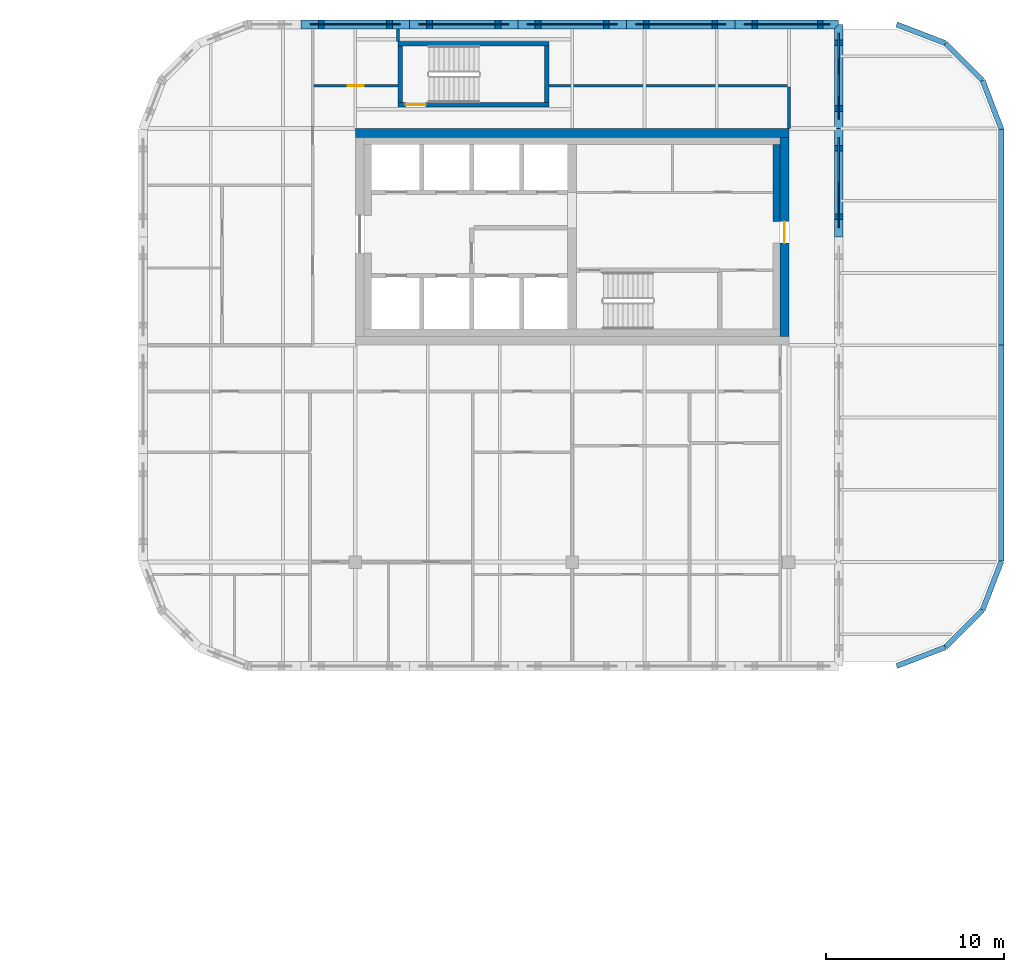
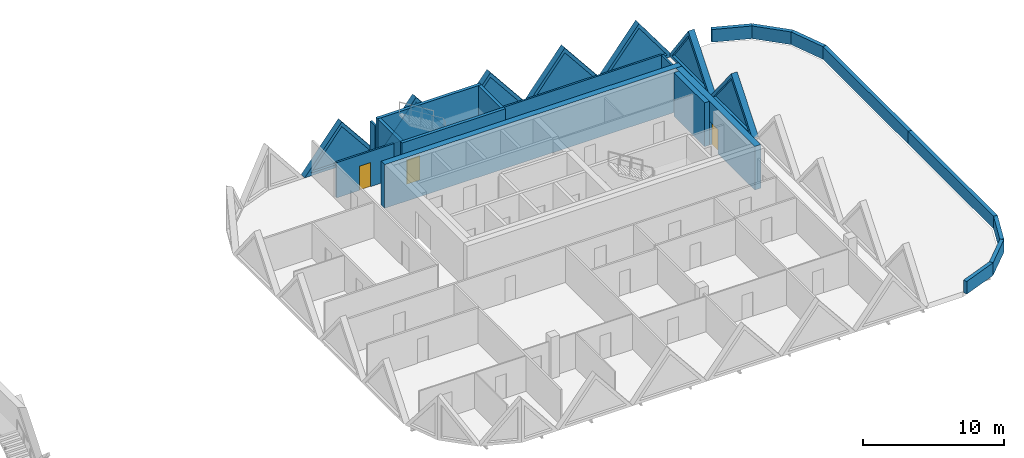
# One storey, part 15 of 18: 26 walls, 7 plates, 3 doors, 10 openings.
"""IFC4 building model written with IfcOpenShell, lengths in metres."""

from ifc_helpers import new_model, si_unit, direction, frame, frame_2d, origin, place, context, subcontext, project, spatial, polyline, rectangle, outline, extrude, faceted_brep, source, transform, mapped, material, layer, layer_set, type_object, element, fill, save


model = new_model("IFC4")

# Units and contexts
model_context = context("Model", 3, precision=1e-05, world=origin(), true_north=direction((0.0, 1.0)))
body_context = subcontext(model_context, "Body", "Model", "MODEL_VIEW")
ifc_project = project(units=[si_unit("LENGTHUNIT", "METRE"), si_unit("AREAUNIT", "SQUARE_METRE"), si_unit("VOLUMEUNIT", "CUBIC_METRE"), si_unit("PLANEANGLEUNIT", "RADIAN"), si_unit("MASSUNIT", "GRAM", prefix="KILO")], contexts=[model_context])

# Site, building, storey
site_placement = place(None, origin())
site = spatial("IfcSite", under=ifc_project, at=site_placement, CompositionType="ELEMENT")
building_placement = place(site_placement, origin())
building = spatial("IfcBuilding", under=site, at=building_placement, Name="Tessera Gate Towers", CompositionType="ELEMENT")
storey_placement = place(building_placement, frame((0.0, 0.0, 95.199951171875)))
storey = spatial("IfcBuildingStorey", under=building, at=storey_placement, Name="L23", CompositionType="ELEMENT", Elevation=95.199951171875)

# Wall, opening, door
ifc_material_1 = material(Name="Concrete C40/50", Category="concrete")
ifc_layer_1 = layer(ifc_material_1, 0.25)
ifc_layer_set_1 = layer_set([ifc_layer_1], Name="CORE ENCLOSURE WALL 250")
wall_type_1 = type_object("IfcWallType", Name="CORE ENCLOSURE WALL 250", PredefinedType="SOLIDWALL", material=ifc_layer_set_1)
wall_1_placement = place(storey_placement, frame((108.5, 50.125, 0.0), z_axis=(0.0, 0.0, 1.0), x_axis=(-1.0, 0.0, 0.0)))
wall_1 = element("IfcWall", 1, at=wall_1_placement, inside=storey, type_object=wall_type_1, Name="L23 ST7 enclosure wall", PredefinedType="SOLIDWALL", context=body_context, shape_type="SweptSolid", body=[
    extrude(rectangle(XDim=8.5, YDim=0.25, at=frame_2d((4.25, 0.0))), origin(), (0.0, 0.0, 1.0), 3.800048828125),
])
shared_shape_1 = source(origin(), body_context, "Body", "SweptSolid", [
    extrude(rectangle(XDim=1.10009765625, YDim=2.10009765625, at=frame_2d((0.550048828125, 1.050048828125))), frame((0.0, 0.135009765625, 0.0), z_axis=(0.0, -1.0, 0.0), x_axis=(1.0, 0.0, 0.0)), (0.0, 0.0, 1.0), 0.27001953125),
])
opening_1_placement = place(wall_1_placement, frame((6.949951171875, 0.0, 0.0)))
opening_1 = element("IfcOpeningElement", 2, at=opening_1_placement, cuts=wall_1, Name="Opening SD-ST7-1", PredefinedType="OPENING", context=body_context, shape_type="MappedRepresentation", body=[
    mapped(shared_shape_1, transform((0.0, 0.0, 0.0), scale=1.0)),
])
ifc_material_2 = material(Name="Hollow steel fire door", Category="steel")
door_type_1 = type_object("IfcDoorType", Name="CORE DOOR SD1100 1100x2100", OperationType="NOTDEFINED", PredefinedType="DOOR", material=ifc_material_2)
shared_shape_2 = source(origin(), body_context, "Body", "SweptSolid", [
    extrude(rectangle(XDim=1.10009765625, YDim=2.10009765625, at=frame_2d((0.550048828125, 1.050048828125))), frame((0.0, 0.02490234375, 0.0), z_axis=(0.0, -1.0, 0.0), x_axis=(1.0, 0.0, 0.0)), (0.0, 0.0, 1.0), 0.050048828125),
])
door_1_placement = place(opening_1_placement, origin())
door_1 = element("IfcDoor", 3, at=door_1_placement, inside=storey, type_object=door_type_1, Name="Stair door", OperationType="SINGLE_SWING_RIGHT", OverallHeight=2.10009765625, OverallWidth=1.10009765625, PredefinedType="DOOR", context=body_context, shape_type="MappedRepresentation", body=[
    mapped(shared_shape_2, transform((0.0, 0.0, 0.0), scale=1.0)),
])
fill(opening_1, door_1)

# Walls
wall_2_placement = place(storey_placement, frame((100.125, 50.25, 0.0), z_axis=(0.0, 0.0, 1.0), x_axis=(0.0, 1.0, 0.0)))
element("IfcWall", 4, at=wall_2_placement, inside=storey, type_object=wall_type_1, Name="L23 ST7 enclosure wall", PredefinedType="SOLIDWALL", context=body_context, shape_type="SweptSolid", body=[
    extrude(rectangle(XDim=3.199951171875, YDim=0.25, at=frame_2d((1.60009765625, 0.0))), origin(), (0.0, 0.0, 1.0), 3.800048828125),
])
wall_3_placement = place(storey_placement, frame((100.0, 53.574951171875, 0.0), z_axis=(0.0, 0.0, 1.0), x_axis=(1.0, 0.0, 0.0)))
element("IfcWall", 5, at=wall_3_placement, inside=storey, type_object=wall_type_1, Name="L23 ST7 enclosure wall", PredefinedType="SOLIDWALL", context=body_context, shape_type="SweptSolid", body=[
    extrude(rectangle(XDim=8.5, YDim=0.25, at=frame_2d((4.25, 0.0))), origin(), (0.0, 0.0, 1.0), 3.800048828125),
])
wall_4_placement = place(storey_placement, frame((108.375, 53.449951171875, 0.0), z_axis=(0.0, 0.0, 1.0), x_axis=(0.0, -1.0, 0.0)))
element("IfcWall", 6, at=wall_4_placement, inside=storey, type_object=wall_type_1, Name="L23 ST7 enclosure wall", PredefinedType="SOLIDWALL", context=body_context, shape_type="SweptSolid", body=[
    extrude(rectangle(XDim=3.199951171875, YDim=0.25, at=frame_2d((1.60009765625, 0.0))), origin(), (0.0, 0.0, 1.0), 3.800048828125),
])
ifc_material_3 = material(Name="Concrete C50/60", Category="concrete")
ifc_layer_2 = layer(ifc_material_3, 0.5)
ifc_layer_set_2 = layer_set([ifc_layer_2], Name="CORE SHEAR WALL 500 C50/60")
wall_type_2 = type_object("IfcWallType", Name="CORE SHEAR WALL 500 C50/60", PredefinedType="SHEAR", material=ifc_layer_set_2)
wall_5_placement = place(storey_placement, frame((97.60009765625, 48.550048828125, 0.0), z_axis=(0.0, 0.0, 1.0), x_axis=(1.0, 0.0, 0.0)))
element("IfcWall", 7, at=wall_5_placement, inside=storey, type_object=wall_type_2, Name="Core wall N L23", PredefinedType="SHEAR", context=body_context, shape_type="SweptSolid", body=[
    extrude(rectangle(XDim=24.39990234375, YDim=0.5, at=frame_2d((12.199951171875, 0.0))), origin(), (0.0, 0.0, 1.0), 3.800048828125),
])

# Wall, opening, door
wall_6_placement = place(storey_placement, frame((121.75, 48.300048828125, 0.0), z_axis=(0.0, 0.0, 1.0), x_axis=(0.0, -1.0, 0.0)))
wall_6 = element("IfcWall", 8, at=wall_6_placement, inside=storey, type_object=wall_type_2, Name="Core wall E L23", PredefinedType="SHEAR", context=body_context, shape_type="SweptSolid", body=[
    extrude(rectangle(XDim=11.199951171875, YDim=0.5, at=frame_2d((5.60009765625, 0.0))), origin(), (0.0, 0.0, 1.0), 3.800048828125),
])
shared_shape_3 = source(origin(), body_context, "Body", "SweptSolid", [
    extrude(rectangle(XDim=1.199951171875, YDim=2.10009765625, at=frame_2d((0.60009765625, 1.050048828125))), frame((0.0, 0.260009765625, 0.0), z_axis=(0.0, -1.0, 0.0), x_axis=(1.0, 0.0, 0.0)), (0.0, 0.0, 1.0), 0.52001953125),
])
opening_2_placement = place(wall_6_placement, frame((4.75, 0.0, 0.0)))
opening_2 = element("IfcOpeningElement", 9, at=opening_2_placement, cuts=wall_6, Name="Opening ED-T2-09-02", PredefinedType="OPENING", context=body_context, shape_type="MappedRepresentation", body=[
    mapped(shared_shape_3, transform((0.0, 0.0, 0.0), scale=1.0)),
])
ifc_material_4 = material(Name="Hollow steel fire door", Category="steel")
door_type_2 = type_object("IfcDoorType", Name="CORE DOOR ED 1200x2100", OperationType="NOTDEFINED", PredefinedType="DOOR", material=ifc_material_4)
shared_shape_4 = source(origin(), body_context, "Body", "SweptSolid", [
    extrude(rectangle(XDim=1.199951171875, YDim=2.10009765625, at=frame_2d((0.60009765625, 1.050048828125))), frame((0.0, 0.02490234375, 0.0), z_axis=(0.0, -1.0, 0.0), x_axis=(1.0, 0.0, 0.0)), (0.0, 0.0, 1.0), 0.050048828125),
])
door_2_placement = place(opening_2_placement, origin())
door_2 = element("IfcDoor", 10, at=door_2_placement, inside=storey, type_object=door_type_2, Name="Core exit door", OperationType="SINGLE_SWING_LEFT", OverallHeight=2.10009765625, OverallWidth=1.199951171875, PredefinedType="DOOR", context=body_context, shape_type="MappedRepresentation", body=[
    mapped(shared_shape_4, transform((0.0, 0.0, 0.0), scale=1.0)),
])
fill(opening_2, door_2)

# Walls
ifc_material_5 = material(Name="Concrete C50/60", Category="concrete")
ifc_layer_3 = layer(ifc_material_5, 0.39990234375)
ifc_layer_set_3 = layer_set([ifc_layer_3], Name="CORE WALL THICKENING 400")
wall_type_3 = type_object("IfcWallType", Name="CORE WALL THICKENING 400", PredefinedType="SOLIDWALL", material=ifc_layer_set_3)
wall_7_placement = place(storey_placement, frame((121.300048828125, 43.550048828125, 0.0), z_axis=(0.0, 0.0, 1.0), x_axis=(0.0, 1.0, 0.0)))
element("IfcWall", 11, at=wall_7_placement, inside=storey, type_object=wall_type_3, Name="Core wall thickening E L23", PredefinedType="SOLIDWALL", context=body_context, shape_type="SweptSolid", body=[
    extrude(rectangle(XDim=4.349853515625, YDim=0.39990234375, at=frame_2d((2.1748046875, 0.0))), origin(), (0.0, 0.0, 1.0), 3.800048828125),
])
ifc_material_6 = material(Name="Gypsum board on steel studs, mineral wool", Category="steel")
ifc_layer_4 = layer(ifc_material_6, 0.14990234375)
ifc_layer_set_4 = layer_set([ifc_layer_4], Name="CORRIDOR WALL 150")
wall_type_4 = type_object("IfcWallType", Name="CORRIDOR WALL 150", PredefinedType="PARTITIONING", material=ifc_layer_set_4)
wall_8_placement = place(storey_placement, frame((122.0, 48.800048828125, 0.0), z_axis=(0.0, 0.0, 1.0), x_axis=(0.0, 1.0, 0.0)))
element("IfcWall", 12, at=wall_8_placement, inside=storey, type_object=wall_type_4, Name="T2-L23-PW-031", PredefinedType="PARTITIONING", context=body_context, shape_type="SweptSolid", body=[
    extrude(rectangle(XDim=2.323974609375, YDim=0.14990234375, at=frame_2d((1.162109375, 0.0))), origin(), (0.0, 0.0, 1.0), 3.067138671875),
])

# Wall, opening, door
wall_9_placement = place(storey_placement, frame((95.27587890625, 51.199951171875, 0.0), z_axis=(0.0, 0.0, 1.0), x_axis=(1.0, 0.0, 0.0)))
wall_9 = element("IfcWall", 13, at=wall_9_placement, inside=storey, type_object=wall_type_4, Name="T2-L23-PW-033", PredefinedType="PARTITIONING", context=body_context, shape_type="SweptSolid", body=[
    extrude(rectangle(XDim=4.72412109375, YDim=0.14990234375, at=frame_2d((2.362060546875, 0.0))), origin(), (0.0, 0.0, 1.0), 3.067138671875),
])
shared_shape_5 = source(origin(), body_context, "Body", "SweptSolid", [
    extrude(rectangle(XDim=0.89990234375, YDim=2.10009765625, at=frame_2d((0.449951171875, 1.050048828125))), frame((0.0, 0.0849609375, 0.0), z_axis=(0.0, -1.0, 0.0), x_axis=(1.0, 0.0, 0.0)), (0.0, 0.0, 1.0), 0.169921875),
])
opening_3_placement = place(wall_9_placement, frame((1.89990234375, 0.0, 0.0)))
opening_3 = element("IfcOpeningElement", 14, at=opening_3_placement, cuts=wall_9, Name="Opening D890FD60-B10-01", PredefinedType="OPENING", context=body_context, shape_type="MappedRepresentation", body=[
    mapped(shared_shape_5, transform((0.0, 0.0, 0.0), scale=1.0)),
])
ifc_material_7 = material(Name="Timber door leaf in steel frame", Category="steel")
door_type_3 = type_object("IfcDoorType", Name="CORRIDOR DOOR 900 FD60", OperationType="NOTDEFINED", PredefinedType="DOOR", material=ifc_material_7)
shared_shape_6 = source(origin(), body_context, "Body", "SweptSolid", [
    extrude(rectangle(XDim=0.89990234375, YDim=2.10009765625, at=frame_2d((0.449951171875, 1.050048828125))), frame((0.0, 0.02490234375, 0.0), z_axis=(0.0, -1.0, 0.0), x_axis=(1.0, 0.0, 0.0)), (0.0, 0.0, 1.0), 0.050048828125),
])
door_3_placement = place(opening_3_placement, origin())
door_3 = element("IfcDoor", 15, at=door_3_placement, inside=storey, type_object=door_type_3, Name="T2-L23-PD-007", OperationType="SINGLE_SWING_LEFT", OverallHeight=2.10009765625, OverallWidth=0.89990234375, PredefinedType="DOOR", context=body_context, shape_type="MappedRepresentation", body=[
    mapped(shared_shape_6, transform((0.0, 0.0, 0.0), scale=1.0)),
])
fill(opening_3, door_3)

# Walls
wall_10_placement = place(storey_placement, frame((108.5, 51.199951171875, 0.0), z_axis=(0.0, 0.0, 1.0), x_axis=(1.0, 0.0, 0.0)))
element("IfcWall", 16, at=wall_10_placement, inside=storey, type_object=wall_type_4, Name="T2-L23-PW-034", PredefinedType="PARTITIONING", context=body_context, shape_type="SweptSolid", body=[
    extrude(rectangle(XDim=13.5, YDim=0.14990234375, at=frame_2d((6.75, 0.0))), origin(), (0.0, 0.0, 1.0), 3.067138671875),
])
ifc_material_8 = material(Name="Gypsum board on steel studs, mineral wool", Category="steel")
ifc_layer_5 = layer(ifc_material_8, 0.14990234375)
ifc_layer_set_5 = layer_set([ifc_layer_5], Name="TENANCY WALL 150")
wall_type_5 = type_object("IfcWallType", Name="TENANCY WALL 150", PredefinedType="PARTITIONING", material=ifc_layer_set_5)
wall_11_placement = place(storey_placement, frame((100.0, 53.699951171875, 0.0), z_axis=(0.0, 0.0, 1.0), x_axis=(0.0, 1.0, 0.0)))
element("IfcWall", 17, at=wall_11_placement, inside=storey, type_object=wall_type_5, Name="T2-L23-PW-035", PredefinedType="PARTITIONING", context=body_context, shape_type="SweptSolid", body=[
    extrude(rectangle(XDim=0.699951171875, YDim=0.14990234375, at=frame_2d((0.35009765625, 0.0))), origin(), (0.0, 0.0, 1.0), 3.067138671875),
])

# Wall, opening, plate
ifc_material_9 = material(Name="Precast concrete C60/75 white", Category="concrete")
ifc_layer_6 = layer(ifc_material_9, 0.5)
ifc_layer_set_6 = layer_set([ifc_layer_6], Name="TS2 half tessera")
wall_type_6 = type_object("IfcWallType", Name="TS2 half tessera", PredefinedType="SOLIDWALL", material=ifc_layer_set_6)
shared_shape_7 = source(origin(), body_context, "Body", "Brep", [
    faceted_brep([(6.099853515625, -0.25, 0.000244140625), (3.050048828125, -0.25, 3.800048828125), (0.0, -0.25, 0.0), (6.099853515625, -0.25, 0.0), (0.0, 0.25, 0.0), (3.050048828125, 0.25, 3.800048828125), (6.099853515625, 0.25, 0.000244140625), (6.099853515625, 0.25, 0.0)], [[[0, 1, 2, 3]], [[4, 5, 6, 7]], [[6, 5, 1, 0]], [[5, 4, 2, 1]], [[4, 7, 3, 2]], [[3, 7, 6, 0]]]),
])
wall_12_placement = place(storey_placement, frame((118.949951171875, 54.64990234375, 0.0), z_axis=(0.0, 0.0, 1.0), x_axis=(-1.0, 0.0, 0.0)))
wall_12 = element("IfcWall", 18, at=wall_12_placement, inside=storey, type_object=wall_type_6, Name="Precast half tessera T2 TS2-0120", PredefinedType="SOLIDWALL", context=body_context, shape_type="MappedRepresentation", body=[
    mapped(shared_shape_7, transform((0.0, 0.0, 0.0), scale=1.0)),
])
shared_shape_8 = source(origin(), body_context, "Body", "SweptSolid", [
    extrude(outline(polyline([(5.578857421875, 0.25), (3.050048828125, 3.400634765625), (0.521240234375, 0.25), (5.578857421875, 0.25)])), frame((0.0, 0.260009765625, 0.0), z_axis=(0.0, -1.0, 0.0), x_axis=(1.0, 0.0, 0.0)), (0.0, 0.0, 1.0), 0.52001953125),
])
opening_4_placement = place(wall_12_placement, origin())
opening_4 = element("IfcOpeningElement", 19, at=opening_4_placement, cuts=wall_12, Name="Opening T2-PL1-0218", PredefinedType="OPENING", context=body_context, shape_type="MappedRepresentation", body=[
    mapped(shared_shape_8, transform((0.0, 0.0, 0.0), scale=1.0)),
])
ifc_material_10 = material(Name="Low-e laminated glass", Category="glass")
ifc_layer_7 = layer(ifc_material_10, 0.06005859375)
ifc_layer_set_7 = layer_set([ifc_layer_7], Name="PL1 triangular pane")
plate_type = type_object("IfcPlateType", Name="PL1 triangular pane", PredefinedType="SHEET", material=ifc_layer_set_7)
shared_shape_9 = source(origin(), body_context, "Body", "SweptSolid", [
    extrude(outline(polyline([(5.578857421875, 0.25), (3.050048828125, 3.400634765625), (0.521240234375, 0.25), (5.578857421875, 0.25)])), frame((0.0, 0.030029296875, 0.0), z_axis=(0.0, -1.0, 0.0), x_axis=(1.0, 0.0, 0.0)), (0.0, 0.0, 1.0), 0.06005859375),
])
plate_1_placement = place(opening_4_placement, origin())
plate_1 = element("IfcPlate", 20, at=plate_1_placement, inside=storey, type_object=plate_type, Name="Glass pane T2 PL1-0218", PredefinedType="SHEET", context=body_context, shape_type="MappedRepresentation", body=[
    mapped(shared_shape_9, transform((0.0, 0.0, 0.0), scale=1.0)),
])
fill(opening_4, plate_1)

wall_13_placement = place(storey_placement, frame((100.64990234375, 54.64990234375, 0.0), z_axis=(0.0, 0.0, 1.0), x_axis=(-1.0, 0.0, 0.0)))
wall_13 = element("IfcWall", 21, at=wall_13_placement, inside=storey, type_object=wall_type_6, Name="Precast half tessera T2 TS2-0123", PredefinedType="SOLIDWALL", context=body_context, shape_type="MappedRepresentation", body=[
    mapped(shared_shape_7, transform((0.0, 0.0, 0.0), scale=1.0)),
])
opening_5_placement = place(wall_13_placement, origin())
opening_5 = element("IfcOpeningElement", 22, at=opening_5_placement, cuts=wall_13, Name="Opening T2-PL1-0221", PredefinedType="OPENING", context=body_context, shape_type="MappedRepresentation", body=[
    mapped(shared_shape_8, transform((0.0, 0.0, 0.0), scale=1.0)),
])
plate_2_placement = place(opening_5_placement, origin())
plate_2 = element("IfcPlate", 23, at=plate_2_placement, inside=storey, type_object=plate_type, Name="Glass pane T2 PL1-0221", PredefinedType="SHEET", context=body_context, shape_type="MappedRepresentation", body=[
    mapped(shared_shape_9, transform((0.0, 0.0, 0.0), scale=1.0)),
])
fill(opening_5, plate_2)

shared_shape_10 = source(origin(), body_context, "Body", "SweptSolid", [
    extrude(outline(polyline([(6.10009765625, 0.0), (3.050048828125, 3.800048828125), (0.0, 0.0), (6.10009765625, 0.0)])), frame((0.0, 0.25, 0.0), z_axis=(0.0, -1.0, 0.0), x_axis=(1.0, 0.0, 0.0)), (0.0, 0.0, 1.0), 0.5),
])
wall_14_placement = place(storey_placement, frame((124.800048828125, 42.699951171875, 0.0), z_axis=(0.0, 0.0, 1.0), x_axis=(0.0, 1.0, 0.0)))
wall_14 = element("IfcWall", 24, at=wall_14_placement, inside=storey, type_object=wall_type_6, Name="Precast half tessera T2 TS2-0117", PredefinedType="SOLIDWALL", context=body_context, shape_type="MappedRepresentation", body=[
    mapped(shared_shape_10, transform((0.0, 0.0, 0.0), scale=1.0)),
])
opening_6_placement = place(wall_14_placement, origin())
opening_6 = element("IfcOpeningElement", 25, at=opening_6_placement, cuts=wall_14, Name="Opening T2-PL1-0215", PredefinedType="OPENING", context=body_context, shape_type="MappedRepresentation", body=[
    mapped(shared_shape_8, transform((0.0, 0.0, 0.0), scale=1.0)),
])
plate_3_placement = place(opening_6_placement, origin())
plate_3 = element("IfcPlate", 26, at=plate_3_placement, inside=storey, type_object=plate_type, Name="Glass pane T2 PL1-0215", PredefinedType="SHEET", context=body_context, shape_type="MappedRepresentation", body=[
    mapped(shared_shape_9, transform((0.0, 0.0, 0.0), scale=1.0)),
])
fill(opening_6, plate_3)

wall_15_placement = place(storey_placement, frame((112.85009765625, 54.64990234375, 0.0), z_axis=(0.0, 0.0, 1.0), x_axis=(-1.0, 0.0, 0.0)))
wall_15 = element("IfcWall", 27, at=wall_15_placement, inside=storey, type_object=wall_type_6, Name="Precast half tessera T2 TS2-0121", PredefinedType="SOLIDWALL", context=body_context, shape_type="MappedRepresentation", body=[
    mapped(shared_shape_10, transform((0.0, 0.0, 0.0), scale=1.0)),
])
opening_7_placement = place(wall_15_placement, origin())
opening_7 = element("IfcOpeningElement", 28, at=opening_7_placement, cuts=wall_15, Name="Opening T2-PL1-0219", PredefinedType="OPENING", context=body_context, shape_type="MappedRepresentation", body=[
    mapped(shared_shape_8, transform((0.0, 0.0, 0.0), scale=1.0)),
])
plate_4_placement = place(opening_7_placement, origin())
plate_4 = element("IfcPlate", 29, at=plate_4_placement, inside=storey, type_object=plate_type, Name="Glass pane T2 PL1-0219", PredefinedType="SHEET", context=body_context, shape_type="MappedRepresentation", body=[
    mapped(shared_shape_9, transform((0.0, 0.0, 0.0), scale=1.0)),
])
fill(opening_7, plate_4)

wall_16_placement = place(storey_placement, frame((106.75, 54.64990234375, 0.0), z_axis=(0.0, 0.0, 1.0), x_axis=(-1.0, 0.0, 0.0)))
wall_16 = element("IfcWall", 30, at=wall_16_placement, inside=storey, type_object=wall_type_6, Name="Precast half tessera T2 TS2-0122", PredefinedType="SOLIDWALL", context=body_context, shape_type="MappedRepresentation", body=[
    mapped(shared_shape_10, transform((0.0, 0.0, 0.0), scale=1.0)),
])
opening_8_placement = place(wall_16_placement, origin())
opening_8 = element("IfcOpeningElement", 31, at=opening_8_placement, cuts=wall_16, Name="Opening T2-PL1-0220", PredefinedType="OPENING", context=body_context, shape_type="MappedRepresentation", body=[
    mapped(shared_shape_8, transform((0.0, 0.0, 0.0), scale=1.0)),
])
plate_5_placement = place(opening_8_placement, origin())
plate_5 = element("IfcPlate", 32, at=plate_5_placement, inside=storey, type_object=plate_type, Name="Glass pane T2 PL1-0220", PredefinedType="SHEET", context=body_context, shape_type="MappedRepresentation", body=[
    mapped(shared_shape_9, transform((0.0, 0.0, 0.0), scale=1.0)),
])
fill(opening_8, plate_5)

shared_shape_11 = source(origin(), body_context, "Body", "Brep", [
    faceted_brep([(5.85009765625, -0.25, 0.0), (3.050048828125, -0.25, 3.800048828125), (0.0, -0.25, 0.0), (0.0, 0.25, 0.0), (3.050048828125, 0.25, 3.800048828125), (5.60009765625, 0.25, 0.33935546875), (5.60009765625, 0.25, 0.0), (5.85009765625, 0.0, 0.0)], [[[0, 1, 2]], [[3, 4, 5, 6]], [[5, 4, 1, 0, 7]], [[4, 3, 2, 1]], [[3, 6, 7, 0, 2]], [[7, 6, 5]]]),
])
wall_17_placement = place(storey_placement, frame((124.800048828125, 48.800048828125, 0.0), z_axis=(0.0, 0.0, 1.0), x_axis=(0.0, 1.0, 0.0)))
wall_17 = element("IfcWall", 33, at=wall_17_placement, inside=storey, type_object=wall_type_6, Name="Precast half tessera T2 TS2-0118", PredefinedType="SOLIDWALL", context=body_context, shape_type="MappedRepresentation", body=[
    mapped(shared_shape_11, transform((0.0, 0.0, 0.0), scale=1.0)),
])
shared_shape_12 = source(origin(), body_context, "Body", "SweptSolid", [
    extrude(outline(polyline([(5.355224609375, 0.25), (3.04150390625, 3.39013671875), (0.521240234375, 0.25), (5.355224609375, 0.25)])), frame((0.0, 0.260009765625, 0.0), z_axis=(0.0, -1.0, 0.0), x_axis=(1.0, 0.0, 0.0)), (0.0, 0.0, 1.0), 0.52001953125),
])
opening_9_placement = place(wall_17_placement, origin())
opening_9 = element("IfcOpeningElement", 34, at=opening_9_placement, cuts=wall_17, Name="Opening T2-PL1-0216", PredefinedType="OPENING", context=body_context, shape_type="MappedRepresentation", body=[
    mapped(shared_shape_12, transform((0.0, 0.0, 0.0), scale=1.0)),
])
shared_shape_13 = source(origin(), body_context, "Body", "SweptSolid", [
    extrude(outline(polyline([(5.355224609375, 0.25), (3.04150390625, 3.39013671875), (0.521240234375, 0.25), (5.355224609375, 0.25)])), frame((0.0, 0.030029296875, 0.0), z_axis=(0.0, -1.0, 0.0), x_axis=(1.0, 0.0, 0.0)), (0.0, 0.0, 1.0), 0.06005859375),
])
plate_6_placement = place(opening_9_placement, origin())
plate_6 = element("IfcPlate", 35, at=plate_6_placement, inside=storey, type_object=plate_type, Name="Glass pane T2 PL1-0216", PredefinedType="SHEET", context=body_context, shape_type="MappedRepresentation", body=[
    mapped(shared_shape_13, transform((0.0, 0.0, 0.0), scale=1.0)),
])
fill(opening_9, plate_6)

shared_shape_14 = source(origin(), body_context, "Body", "Brep", [
    faceted_brep([(5.85009765625, -0.25, 0.0), (2.800048828125, -0.25, 3.800048828125), (0.0, -0.25, 0.0), (0.25, 0.25, 0.33935546875), (2.800048828125, 0.25, 3.800048828125), (5.85009765625, 0.25, 0.0), (0.25, 0.25, 0.0), (0.0, 0.0, 0.0)], [[[0, 1, 2]], [[3, 4, 5, 6]], [[5, 4, 1, 0]], [[4, 3, 7, 2, 1]], [[6, 5, 0, 2, 7]], [[6, 7, 3]]]),
])
wall_18_placement = place(storey_placement, frame((124.800048828125, 54.64990234375, 0.0), z_axis=(0.0, 0.0, 1.0), x_axis=(-1.0, 0.0, 0.0)))
wall_18 = element("IfcWall", 36, at=wall_18_placement, inside=storey, type_object=wall_type_6, Name="Precast half tessera T2 TS2-0119", PredefinedType="SOLIDWALL", context=body_context, shape_type="MappedRepresentation", body=[
    mapped(shared_shape_14, transform((0.0, 0.0, 0.0), scale=1.0)),
])
shared_shape_15 = source(origin(), body_context, "Body", "SweptSolid", [
    extrude(outline(polyline([(5.328857421875, 0.25), (2.808349609375, 3.39013671875), (0.49462890625, 0.25), (5.328857421875, 0.25)])), frame((0.0, 0.260009765625, 0.0), z_axis=(0.0, -1.0, 0.0), x_axis=(1.0, 0.0, 0.0)), (0.0, 0.0, 1.0), 0.52001953125),
])
opening_10_placement = place(wall_18_placement, origin())
opening_10 = element("IfcOpeningElement", 37, at=opening_10_placement, cuts=wall_18, Name="Opening T2-PL1-0217", PredefinedType="OPENING", context=body_context, shape_type="MappedRepresentation", body=[
    mapped(shared_shape_15, transform((0.0, 0.0, 0.0), scale=1.0)),
])
shared_shape_16 = source(origin(), body_context, "Body", "SweptSolid", [
    extrude(outline(polyline([(5.328857421875, 0.25), (2.808349609375, 3.39013671875), (0.49462890625, 0.25), (5.328857421875, 0.25)])), frame((0.0, 0.030029296875, 0.0), z_axis=(0.0, -1.0, 0.0), x_axis=(1.0, 0.0, 0.0)), (0.0, 0.0, 1.0), 0.06005859375),
])
plate_7_placement = place(opening_10_placement, origin())
plate_7 = element("IfcPlate", 38, at=plate_7_placement, inside=storey, type_object=plate_type, Name="Glass pane T2 PL1-0217", PredefinedType="SHEET", context=body_context, shape_type="MappedRepresentation", body=[
    mapped(shared_shape_16, transform((0.0, 0.0, 0.0), scale=1.0)),
])
fill(opening_10, plate_7)

# Walls
ifc_material_11 = material(Name="Precast concrete C60/75 white", Category="concrete")
ifc_layer_8 = layer(ifc_material_11, 0.300048828125)
ifc_layer_set_8 = layer_set([ifc_layer_8], Name="PR1 parapet wall")
wall_type_7 = type_object("IfcWallType", Name="PR1 parapet wall", PredefinedType="PARAPET", material=ifc_layer_set_8)
shared_shape_17 = source(origin(), body_context, "Body", "Brep", [
    faceted_brep([(0.0, -0.14990234375, 0.0), (2.950439453125, -0.14990234375, 0.0), (2.950439453125, -0.14990234375, 1.10009765625), (0.0, -0.14990234375, 1.10009765625), (0.02783203125, 0.14990234375, 1.10009765625), (2.918701171875, 0.14990234375, 1.10009765625), (2.918701171875, 0.14990234375, 0.0), (0.02783203125, 0.14990234375, 0.0), (2.950439453125, 0.00048828125, 0.0), (0.0, 0.0, 0.0), (2.950439453125, 0.00048828125, 1.10009765625), (0.0, 0.0, 1.10009765625)], [[[0, 1, 2, 3]], [[4, 5, 6, 7]], [[7, 6, 8, 1, 0, 9]], [[10, 2, 1, 8]], [[5, 4, 11, 3, 2, 10]], [[9, 0, 3, 11]], [[7, 9, 11, 4]], [[8, 6, 5, 10]]]),
])
for number, where, z_axis, x_axis, name in (
    (39, (128.053466796875, 18.550048828125, 0.0), (0.0, 0.0, 1.0), (0.932999673775, 0.359877213415, 0.0), "Parapet T2 PR1-0001"),
    (40, (133.949951171875, 48.75341796875, 0.0), (0.0, 0.0, 1.0), (-0.359877213415, 0.932999673775, 0.0), "Parapet T2 PR1-0006"),
):
    element("IfcWall", number, at=place(storey_placement, frame(where, z_axis=z_axis, x_axis=x_axis)), inside=storey, type_object=wall_type_7, Name=name, PredefinedType="PARAPET", context=body_context, shape_type="MappedRepresentation", body=[
        mapped(shared_shape_17, transform((0.0, 0.0, 0.0), scale=1.0)),
    ])
shared_shape_18 = source(origin(), body_context, "Body", "Brep", [
    faceted_brep([(0.0, -0.14990234375, 0.0), (2.944091796875, -0.14990234375, 0.0), (2.944091796875, -0.14990234375, 1.10009765625), (0.0, -0.14990234375, 1.10009765625), (0.03173828125, 0.14990234375, 1.10009765625), (2.912353515625, 0.14990234375, 1.10009765625), (2.912353515625, 0.14990234375, 0.0), (0.03173828125, 0.14990234375, 0.0), (2.944091796875, 0.000244140625, 0.0), (0.0, 0.0, 0.0), (2.944091796875, 0.000244140625, 1.10009765625), (0.0, 0.0, 1.10009765625)], [[[0, 1, 2, 3]], [[4, 5, 6, 7]], [[7, 6, 8, 1, 0, 9]], [[10, 2, 1, 8]], [[5, 4, 11, 3, 2, 10]], [[9, 0, 3, 11]], [[7, 9, 11, 4]], [[8, 6, 5, 10]]]),
])
for number, where, z_axis, x_axis, name in (
    (41, (130.80615234375, 19.61181640625, 0.0), (0.0, 0.0, 1.0), (0.707106781187, 0.707106781187, 0.0), "Parapet T2 PR1-0002"),
    (42, (132.88818359375, 51.50634765625, 0.0), (0.0, 0.0, 1.0), (-0.707106781187, 0.707106781187, 0.0), "Parapet T2 PR1-0007"),
):
    element("IfcWall", number, at=place(storey_placement, frame(where, z_axis=z_axis, x_axis=x_axis)), inside=storey, type_object=wall_type_7, Name=name, PredefinedType="PARAPET", context=body_context, shape_type="MappedRepresentation", body=[
        mapped(shared_shape_18, transform((0.0, 0.0, 0.0), scale=1.0)),
    ])
shared_shape_19 = source(origin(), body_context, "Body", "Brep", [
    faceted_brep([(0.0, -0.14990234375, 0.0), (2.950439453125, -0.14990234375, 0.0), (2.950439453125, -0.14990234375, 1.10009765625), (0.0, -0.14990234375, 1.10009765625), (0.03173828125, 0.14990234375, 1.10009765625), (2.922607421875, 0.14990234375, 1.10009765625), (2.922607421875, 0.14990234375, 0.0), (0.03173828125, 0.14990234375, 0.0), (2.950439453125, 0.00048828125, 0.0), (0.0, 0.0, 0.0), (2.950439453125, 0.00048828125, 1.10009765625), (0.0, 0.0, 1.10009765625)], [[[0, 1, 2, 3]], [[4, 5, 6, 7]], [[7, 6, 8, 1, 0, 9]], [[10, 2, 1, 8]], [[5, 4, 11, 3, 2, 10]], [[9, 0, 3, 11]], [[7, 9, 11, 4]], [[8, 6, 5, 10]]]),
])
for number, where, z_axis, x_axis, name in (
    (43, (132.88818359375, 21.69384765625, 0.0), (0.0, 0.0, 1.0), (0.359877213415, 0.932999673775, 0.0), "Parapet T2 PR1-0003"),
    (44, (130.80615234375, 53.588134765625, 0.0), (0.0, 0.0, 1.0), (-0.932999673775, 0.359877213415, 0.0), "Parapet T2 PR1-0008"),
):
    element("IfcWall", number, at=place(storey_placement, frame(where, z_axis=z_axis, x_axis=x_axis)), inside=storey, type_object=wall_type_7, Name=name, PredefinedType="PARAPET", context=body_context, shape_type="MappedRepresentation", body=[
        mapped(shared_shape_19, transform((0.0, 0.0, 0.0), scale=1.0)),
    ])
shared_shape_20 = source(origin(), body_context, "Body", "Brep", [
    faceted_brep([(0.0, -0.14990234375, 0.0), (12.153564453125, -0.14990234375, 0.0), (12.153564453125, -0.14990234375, 1.10009765625), (0.0, -0.14990234375, 1.10009765625), (0.02783203125, 0.14990234375, 1.10009765625), (12.153564453125, 0.14990234375, 1.10009765625), (12.153564453125, 0.14990234375, 0.0), (0.02783203125, 0.14990234375, 0.0), (0.0, 0.0, 0.0), (0.0, 0.0, 1.10009765625)], [[[0, 1, 2, 3]], [[4, 5, 6, 7]], [[7, 6, 1, 0, 8]], [[5, 4, 9, 3, 2]], [[8, 0, 3, 9]], [[7, 8, 9, 4]], [[1, 6, 5, 2]]]),
])
wall_19_placement = place(storey_placement, frame((133.949951171875, 24.446533203125, 0.0), z_axis=(0.0, 0.0, 1.0), x_axis=(0.0, 1.0, 0.0)))
element("IfcWall", 45, at=wall_19_placement, inside=storey, type_object=wall_type_7, Name="Parapet T2 PR1-0004", PredefinedType="PARAPET", context=body_context, shape_type="MappedRepresentation", body=[
    mapped(shared_shape_20, transform((0.0, 0.0, 0.0), scale=1.0)),
])
shared_shape_21 = source(origin(), body_context, "Body", "Brep", [
    faceted_brep([(0.0, -0.14990234375, 0.0), (12.153564453125, -0.14990234375, 0.0), (12.153564453125, -0.14990234375, 1.10009765625), (0.0, -0.14990234375, 1.10009765625), (0.0, 0.14990234375, 1.10009765625), (12.12548828125, 0.14990234375, 1.10009765625), (12.12548828125, 0.14990234375, 0.0), (0.0, 0.14990234375, 0.0), (12.153564453125, -0.00048828125, 0.0), (12.153564453125, -0.00048828125, 1.10009765625)], [[[0, 1, 2, 3]], [[4, 5, 6, 7]], [[7, 6, 8, 1, 0]], [[9, 2, 1, 8]], [[5, 4, 3, 2, 9]], [[4, 7, 0, 3]], [[8, 6, 5, 9]]]),
])
wall_20_placement = place(storey_placement, frame((133.949951171875, 36.60009765625, 0.0), z_axis=(0.0, 0.0, 1.0), x_axis=(0.0, 1.0, 0.0)))
element("IfcWall", 46, at=wall_20_placement, inside=storey, type_object=wall_type_7, Name="Parapet T2 PR1-0005", PredefinedType="PARAPET", context=body_context, shape_type="MappedRepresentation", body=[
    mapped(shared_shape_21, transform((0.0, 0.0, 0.0), scale=1.0)),
])

save(model, "model.ifc")
